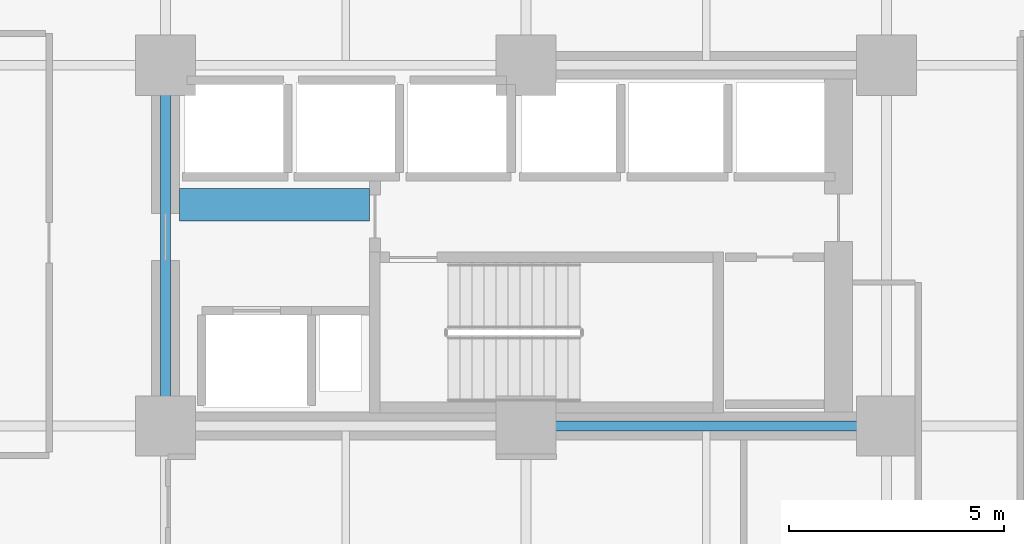
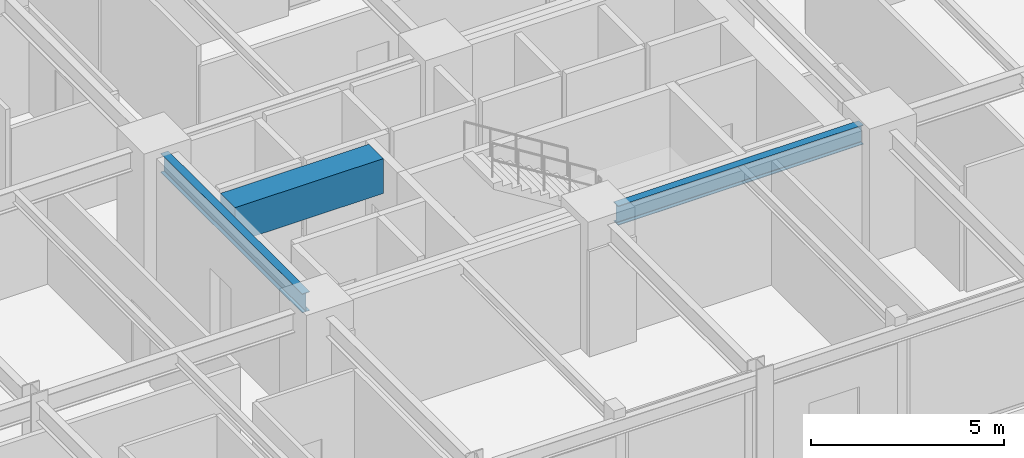
# One storey, part 5 of 24: 3 beams.
"""IFC4 building model written with IfcOpenShell, lengths in metres."""

from ifc_helpers import new_model, si_unit, direction, frame, origin, origin_2d, place, context, subcontext, project, spatial, rectangle, i_section, extrude, material, material_profile, profile_set, type_object, element, save


model = new_model("IFC4")

# Units and contexts
model_context = context("Model", 3, precision=1e-05, world=origin(), true_north=direction((0.0, 1.0)))
body_context = subcontext(model_context, "Body", "Model", "MODEL_VIEW")
ifc_project = project(units=[si_unit("LENGTHUNIT", "METRE"), si_unit("AREAUNIT", "SQUARE_METRE"), si_unit("VOLUMEUNIT", "CUBIC_METRE"), si_unit("PLANEANGLEUNIT", "RADIAN"), si_unit("MASSUNIT", "GRAM", prefix="KILO")], contexts=[model_context])

# Site, building, storey
site_placement = place(None, origin())
site = spatial("IfcSite", under=ifc_project, at=site_placement, CompositionType="ELEMENT")
building_placement = place(site_placement, origin())
building = spatial("IfcBuilding", under=site, at=building_placement, Name="Nerrivon Quay Data Exchange", CompositionType="ELEMENT")
storey_placement = place(building_placement, frame((0.0, 0.0, 37.39990234375)))
storey = spatial("IfcBuildingStorey", under=building, at=storey_placement, Name="L08", CompositionType="ELEMENT", Elevation=37.39990234375)

# Beams
ifc_material_1 = material(Name="Concrete S65 (65 MPa)", Category="concrete")
ifc_material_profile_1 = material_profile(ifc_material_1, rectangle(XDim=0.75, YDim=1.10009765625, at=origin_2d()), Name="RC-CB-750x1100")
ifc_profile_set_1 = profile_set([ifc_material_profile_1], Name="Concrete S65 (65 MPa)")
beam_type_1 = type_object("IfcBeamType", Name="BM-CB1-750x1100", PredefinedType="LINTEL", material=ifc_profile_set_1)
beam_1_placement = place(storey_placement, frame((17.125, 13.550048828125, 3.375), z_axis=(1.0, 0.0, 0.0), x_axis=(0.0, 1.0, 0.0)))
element("IfcBeam", 1, at=beam_1_placement, inside=storey, type_object=beam_type_1, Name="L08 East Core Coupling Beam", PredefinedType="LINTEL", context=body_context, shape_type="SweptSolid", body=[
    extrude(rectangle(XDim=0.75, YDim=1.10009765625, at=origin_2d()), origin(), (0.0, 0.0, 1.0), 4.429931640625),
])
ifc_material_2 = material(Name="Steel Grade 350", Category="steel")
ifc_material_profile_2 = material_profile(ifc_material_2, i_section(OverallWidth=0.22900390625, OverallDepth=0.612060546875, WebThickness=0.011962890625, FlangeThickness=0.01953125, FilletRadius=0.013916015625, at=origin_2d()), Name="610UB125")
ifc_profile_set_2 = profile_set([ifc_material_profile_2], Name="Steel Grade 350")
beam_type_2 = type_object("IfcBeamType", Name="BM-G1-610UB125", PredefinedType="BEAM", material=ifc_profile_set_2)
beam_2_placement = place(storey_placement, frame((25.739990234375, 8.39990234375, 3.619140625), z_axis=(1.0, 0.0, 0.0), x_axis=(0.0, 1.0, 0.0)))
element("IfcBeam", 2, at=beam_2_placement, inside=storey, type_object=beam_type_2, Name="L08 EW Girder Y=8.4 (25.2..33.6)", PredefinedType="BEAM", context=body_context, shape_type="SweptSolid", body=[
    extrude(i_section(OverallWidth=0.22900390625, OverallDepth=0.612060546875, WebThickness=0.011962890625, FlangeThickness=0.01953125, FilletRadius=0.013916015625, at=origin_2d()), origin(), (0.0, 0.0, 1.0), 7.320068359375),
])
ifc_material_profile_3 = material_profile(ifc_material_2, i_section(OverallWidth=0.22802734375, OverallDepth=0.60205078125, WebThickness=0.010498046875, FlangeThickness=0.014892578125, FilletRadius=0.013916015625, at=origin_2d()), Name="610UB101")
ifc_profile_set_3 = profile_set([ifc_material_profile_3], Name="Steel Grade 350")
beam_type_3 = type_object("IfcBeamType", Name="BM-G2-610UB101", PredefinedType="BEAM", material=ifc_profile_set_3)
beam_3_placement = place(storey_placement, frame((16.800048828125, 8.93994140625, 3.6240234375), z_axis=(0.0, 1.0, 0.0), x_axis=(-1.0, 0.0, 0.0)))
element("IfcBeam", 3, at=beam_3_placement, inside=storey, type_object=beam_type_3, Name="L08 NS Girder X=16.8 (8.4..16.8)", PredefinedType="BEAM", context=body_context, shape_type="SweptSolid", body=[
    extrude(i_section(OverallWidth=0.22802734375, OverallDepth=0.60205078125, WebThickness=0.010498046875, FlangeThickness=0.014892578125, FilletRadius=0.013916015625, at=origin_2d()), origin(), (0.0, 0.0, 1.0), 7.320068359375),
])

save(model, "model.ifc")
